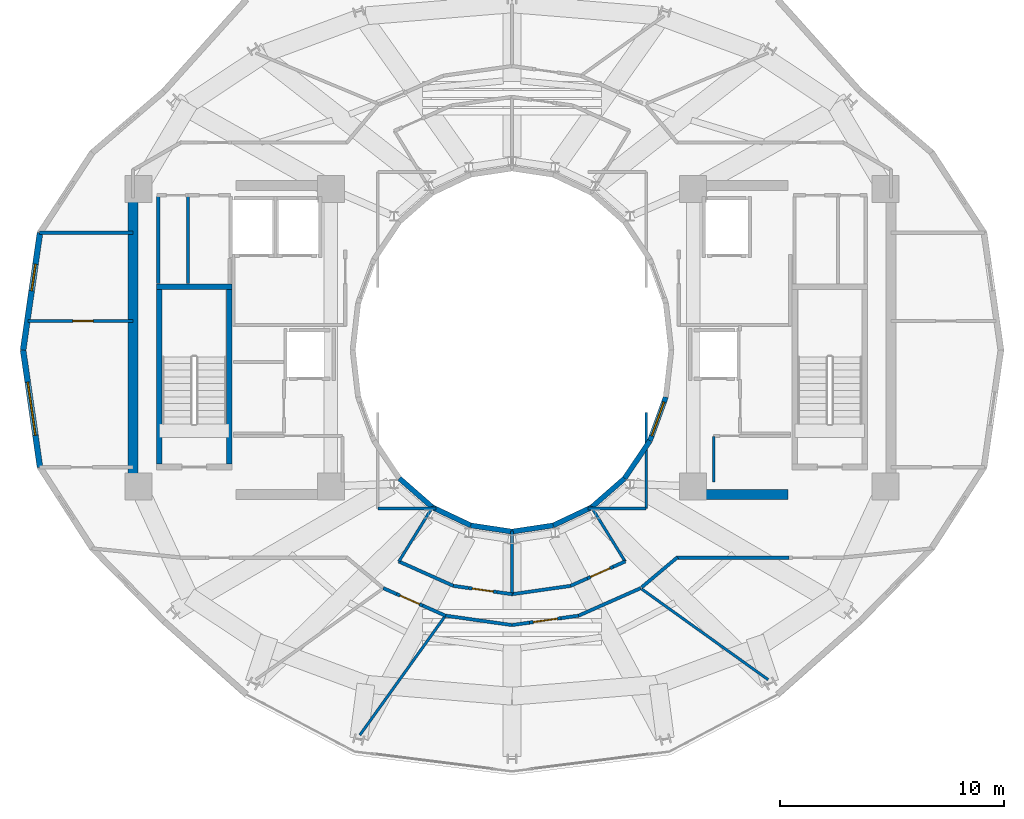
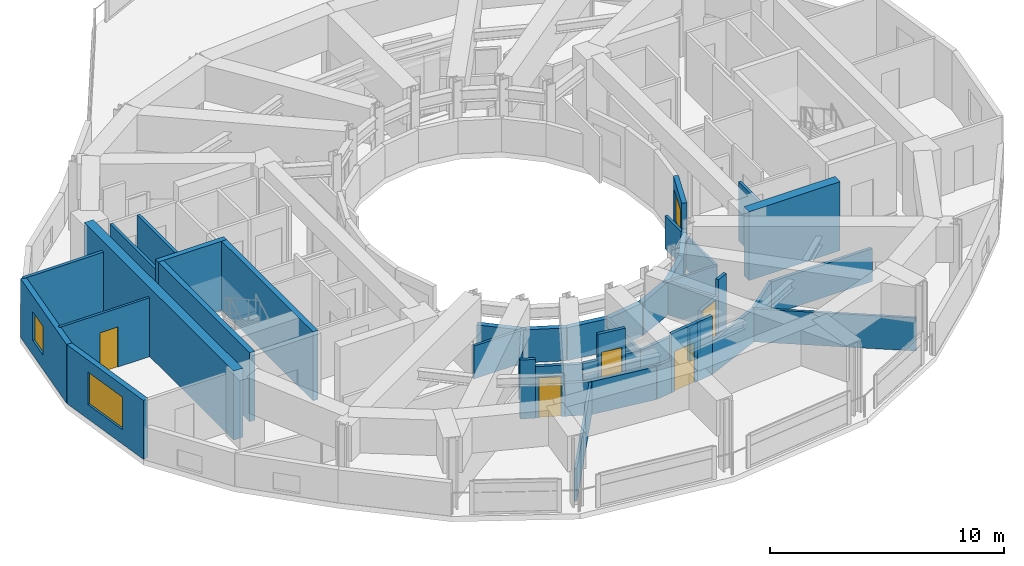
# One storey, part 14 of 21: 46 walls, 5 doors, 3 windows, 8 openings.
"""IFC4 building model written with IfcOpenShell, lengths in metres."""

from ifc_helpers import new_model, si_unit, direction, frame, frame_2d, origin, place, context, subcontext, project, spatial, rectangle, extrude, material, layer, layer_set, type_object, element, fill, save


model = new_model("IFC4")

# Units and contexts
model_context = context("Model", 3, precision=1e-05, world=origin(), true_north=direction((0.0, 1.0)))
body_context = subcontext(model_context, "Body", "Model", "MODEL_VIEW")
ifc_project = project(units=[si_unit("LENGTHUNIT", "METRE"), si_unit("AREAUNIT", "SQUARE_METRE"), si_unit("VOLUMEUNIT", "CUBIC_METRE"), si_unit("PLANEANGLEUNIT", "RADIAN"), si_unit("MASSUNIT", "GRAM", prefix="KILO")], contexts=[model_context])

# Site, building, storey
site_placement = place(None, origin())
site = spatial("IfcSite", under=ifc_project, at=site_placement, CompositionType="ELEMENT")
building_placement = place(site_placement, origin())
building = spatial("IfcBuilding", under=site, at=building_placement, Name="Solvane Sanctuary Tower", CompositionType="ELEMENT")
storey_placement = place(building_placement, frame((0.0, 0.0, 256.800048828125)))
storey = spatial("IfcBuildingStorey", under=building, at=storey_placement, Name="L78", CompositionType="ELEMENT", Elevation=256.800048828125)

# Walls
ifc_material_1 = material(Name="Concrete C50/60", Category="concrete")
ifc_layer_1 = layer(ifc_material_1, 0.449951171875, Name="Concrete C50/60")
ifc_layer_set_1 = layer_set([ifc_layer_1], Name="Concrete C50/60")
wall_type_1 = type_object("IfcWallType", Name="Wall W-CORE-450", PredefinedType="SHEAR", material=ifc_layer_set_1)
wall_1_placement = place(storey_placement, frame((15.050048828125, 17.050048828125, 0.0), z_axis=(0.0, 0.0, 1.0), x_axis=(0.0, 1.0, 0.0)))
element("IfcWall", 1, at=wall_1_placement, inside=storey, type_object=wall_type_1, Name="L78 Core Shear Wall WC-W", PredefinedType="SHEAR", context=body_context, shape_type="SweptSolid", body=[
    extrude(rectangle(XDim=12.800048828125, YDim=0.449951171875, at=frame_2d((6.39990234375, 0.0))), origin(), (0.0, 0.0, 1.0), 3.599853515625),
])
wall_2_placement = place(storey_placement, frame((39.85009765625, 16.550048828125, 0.0), z_axis=(0.0, 0.0, 1.0), x_axis=(1.0, 0.0, 0.0)))
element("IfcWall", 2, at=wall_2_placement, inside=storey, type_object=wall_type_1, Name="L78 Core Shear Wall EC-S", PredefinedType="SHEAR", context=body_context, shape_type="SweptSolid", body=[
    extrude(rectangle(XDim=4.5, YDim=0.449951171875, at=frame_2d((2.25, 0.0))), origin(), (0.0, 0.0, 1.0), 3.599853515625),
])
ifc_material_2 = material(Name="Acoustic Gypsum Partition Board")
ifc_layer_2 = layer(ifc_material_2, 0.14990234375, Name="Acoustic Gypsum Partition Board")
ifc_layer_set_2 = layer_set([ifc_layer_2], Name="Acoustic Gypsum Partition Board")
wall_type_2 = type_object("IfcWallType", Name="Wall W-CORR-150", PredefinedType="PARTITIONING", material=ifc_layer_set_2)
wall_3_placement = place(storey_placement, frame((26.934814453125, 13.548583984375, 0.0), z_axis=(0.0, 0.0, 1.0), x_axis=(0.912859324183, -0.408274239027, 0.0)))
element("IfcWall", 3, at=wall_3_placement, inside=storey, type_object=wall_type_2, Name="L78 South Light-Well Corridor Wall 1", PredefinedType="PARTITIONING", context=body_context, shape_type="SweptSolid", body=[
    extrude(rectangle(XDim=2.681884765625, YDim=0.14990234375, at=frame_2d((1.3408203125, 0.0))), origin(), (0.0, 0.0, 1.0), 1.719970703125),
])
wall_4_placement = place(storey_placement, frame((29.379638671875, 12.45458984375, 0.0), z_axis=(0.0, 0.0, 1.0), x_axis=(0.990090139669, -0.140433312754, 0.0)))
element("IfcWall", 4, at=wall_4_placement, inside=storey, type_object=wall_type_2, Name="L78 South Light-Well Corridor Wall 1", PredefinedType="PARTITIONING", context=body_context, shape_type="SweptSolid", body=[
    extrude(rectangle(XDim=0.69189453125, YDim=0.14990234375, at=frame_2d((0.345947265625, 0.0))), origin(), (0.0, 0.0, 1.0), 1.719970703125),
])

# Wall, opening, door
wall_5_placement = place(storey_placement, frame((30.064697265625, 12.357421875, 0.0), z_axis=(0.0, 0.0, 1.0), x_axis=(0.990102710588, -0.140344656064, 0.0)))
wall_5 = element("IfcWall", 5, at=wall_5_placement, inside=storey, type_object=wall_type_2, Name="L78 South Light-Well Corridor Wall 1", PredefinedType="PARTITIONING", context=body_context, shape_type="SweptSolid", body=[
    extrude(rectangle(XDim=1.269775390625, YDim=0.14990234375, at=frame_2d((0.634765625, 0.0))), origin(), (0.0, 0.0, 1.0), 3.074951171875),
])
opening_1_placement = place(wall_5_placement, frame((0.159912109375, 0.0, 0.0)))
opening_1 = element("IfcOpeningElement", 6, at=opening_1_placement, cuts=wall_5, Name="Opening D-L78-15", PredefinedType="OPENING", context=body_context, shape_type="SweptSolid", body=[
    extrude(rectangle(XDim=0.949951171875, YDim=2.10009765625, at=frame_2d((0.47509765625, 1.050048828125))), frame((0.0, 0.0849609375, 0.0), z_axis=(0.0, -1.0, 0.0), x_axis=(1.0, 0.0, 0.0)), (0.0, 0.0, 1.0), 0.169921875),
])
ifc_material_3 = material(Name="Engineered Tropical Hardwood", Category="wood")
door_type_1 = type_object("IfcDoorType", Name="Door D-ROOM-950", OperationType="NOTDEFINED", PredefinedType="DOOR", material=ifc_material_3)
door_1_placement = place(opening_1_placement, origin())
door_1 = element("IfcDoor", 7, at=door_1_placement, inside=storey, type_object=door_type_1, Name="L78 South Light-Well Alcove Door 1", OperationType="SINGLE_SWING_RIGHT", OverallHeight=2.10009765625, OverallWidth=0.949951171875, PredefinedType="DOOR", context=body_context, shape_type="SweptSolid", body=[
    extrude(rectangle(XDim=0.949951171875, YDim=2.10009765625, at=frame_2d((0.47509765625, 1.050048828125))), frame((0.0, 0.02490234375, 0.0), z_axis=(0.0, -1.0, 0.0), x_axis=(1.0, 0.0, 0.0)), (0.0, 0.0, 1.0), 0.050048828125),
])
fill(opening_1, door_1)

# Walls
wall_6_placement = place(storey_placement, frame((31.322021484375, 12.17919921875, 0.0), z_axis=(0.0, 0.0, 1.0), x_axis=(0.990090139669, -0.140433312754, 0.0)))
element("IfcWall", 8, at=wall_6_placement, inside=storey, type_object=wall_type_2, Name="L78 South Light-Well Corridor Wall 1", PredefinedType="PARTITIONING", context=body_context, shape_type="SweptSolid", body=[
    extrude(rectangle(XDim=0.69189453125, YDim=0.14990234375, at=frame_2d((0.345947265625, 0.0))), origin(), (0.0, 0.0, 1.0), 1.719970703125),
])
wall_7_placement = place(storey_placement, frame((31.992919921875, 12.08203125, 0.0), z_axis=(0.0, 0.0, 1.0), x_axis=(0.990096156252, 0.140390887794, 0.0)))
element("IfcWall", 9, at=wall_7_placement, inside=storey, type_object=wall_type_2, Name="L78 South Light-Well Corridor Wall 2", PredefinedType="PARTITIONING", context=body_context, shape_type="SweptSolid", body=[
    extrude(rectangle(XDim=2.65380859375, YDim=0.14990234375, at=frame_2d((1.326904296875, 0.0))), origin(), (0.0, 0.0, 1.0), 1.719970703125),
])
wall_8_placement = place(storey_placement, frame((34.616943359375, 12.45361328125, 0.0), z_axis=(0.0, 0.0, 1.0), x_axis=(0.912926186948, 0.408124707883, 0.0)))
element("IfcWall", 10, at=wall_8_placement, inside=storey, type_object=wall_type_2, Name="L78 South Light-Well Corridor Wall 2", PredefinedType="PARTITIONING", context=body_context, shape_type="SweptSolid", body=[
    extrude(rectangle(XDim=0.82080078125, YDim=0.14990234375, at=frame_2d((0.410400390625, 0.0))), origin(), (0.0, 0.0, 1.0), 1.719970703125),
])

# Wall, opening, door
wall_9_placement = place(storey_placement, frame((35.3662109375, 12.78857421875, 0.0), z_axis=(0.0, 0.0, 1.0), x_axis=(0.912825795494, 0.408349197479, 0.0)))
wall_9 = element("IfcWall", 11, at=wall_9_placement, inside=storey, type_object=wall_type_2, Name="L78 South Light-Well Corridor Wall 2", PredefinedType="PARTITIONING", context=body_context, shape_type="SweptSolid", body=[
    extrude(rectangle(XDim=1.269775390625, YDim=0.14990234375, at=frame_2d((0.634765625, 0.0))), origin(), (0.0, 0.0, 1.0), 2.159912109375),
])
opening_2_placement = place(wall_9_placement, frame((0.159912109375, 0.0, 0.0)))
opening_2 = element("IfcOpeningElement", 12, at=opening_2_placement, cuts=wall_9, Name="Opening D-L78-16", PredefinedType="OPENING", context=body_context, shape_type="SweptSolid", body=[
    extrude(rectangle(XDim=0.949951171875, YDim=2.10009765625, at=frame_2d((0.47509765625, 1.050048828125))), frame((0.0, 0.0849609375, 0.0), z_axis=(0.0, -1.0, 0.0), x_axis=(1.0, 0.0, 0.0)), (0.0, 0.0, 1.0), 0.169921875),
])
door_2_placement = place(opening_2_placement, origin())
door_2 = element("IfcDoor", 13, at=door_2_placement, inside=storey, type_object=door_type_1, Name="L78 South Light-Well Alcove Door 2", OperationType="SINGLE_SWING_LEFT", OverallHeight=2.10009765625, OverallWidth=0.949951171875, PredefinedType="DOOR", context=body_context, shape_type="SweptSolid", body=[
    extrude(rectangle(XDim=0.949951171875, YDim=2.10009765625, at=frame_2d((0.47509765625, 1.050048828125))), frame((0.0, 0.02490234375, 0.0), z_axis=(0.0, -1.0, 0.0), x_axis=(1.0, 0.0, 0.0)), (0.0, 0.0, 1.0), 0.050048828125),
])
fill(opening_2, door_2)

# Walls
wall_10_placement = place(storey_placement, frame((36.525390625, 13.30712890625, 0.0), z_axis=(0.0, 0.0, 1.0), x_axis=(0.912838500798, 0.408320794794, 0.0)))
element("IfcWall", 14, at=wall_10_placement, inside=storey, type_object=wall_type_2, Name="L78 South Light-Well Corridor Wall 2", PredefinedType="PARTITIONING", context=body_context, shape_type="SweptSolid", body=[
    extrude(rectangle(XDim=0.59130859375, YDim=0.14990234375, at=frame_2d((0.295654296875, 0.0))), origin(), (0.0, 0.0, 1.0), 3.074951171875),
])
wall_11_placement = place(storey_placement, frame((10.87548828125, 28.245361328125, 0.0), z_axis=(0.0, 0.0, 1.0), x_axis=(1.0, 0.0, 0.0)))
element("IfcWall", 15, at=wall_11_placement, inside=storey, type_object=wall_type_2, Name="L78 West Shoulder North Wall", PredefinedType="PARTITIONING", context=body_context, shape_type="SweptSolid", body=[
    extrude(rectangle(XDim=4.174560546875, YDim=0.14990234375, at=frame_2d((2.08740234375, 0.0))), origin(), (0.0, 0.0, 1.0), 3.074951171875),
])
wall_12_placement = place(storey_placement, frame((37.791015625, 12.385009765625, 0.0), z_axis=(0.0, 0.0, 1.0), x_axis=(0.765677451641, 0.643224719711, 0.0)))
element("IfcWall", 16, at=wall_12_placement, inside=storey, type_object=wall_type_2, Name="L78 SE Corner Throat Wall", PredefinedType="PARTITIONING", context=body_context, shape_type="SweptSolid", body=[
    extrude(rectangle(XDim=2.10546875, YDim=0.14990234375, at=frame_2d((1.052734375, 0.0))), origin(), (0.0, 0.0, 1.0), 1.719970703125),
])
wall_13_placement = place(storey_placement, frame((39.330078125, 13.719970703125, 0.0), z_axis=(0.0, 0.0, 1.0), x_axis=(1.0, 0.0, 0.0)))
element("IfcWall", 17, at=wall_13_placement, inside=storey, type_object=wall_type_2, Name="L78 SE Corner Corridor Wall", PredefinedType="PARTITIONING", context=body_context, shape_type="SweptSolid", body=[
    extrude(rectangle(XDim=5.059814453125, YDim=0.14990234375, at=frame_2d((2.52978515625, 0.0))), origin(), (0.0, 0.0, 1.0), 1.719970703125),
])
wall_14_placement = place(storey_placement, frame((26.243896484375, 12.35400390625, 0.0), z_axis=(0.0, 0.0, 1.0), x_axis=(0.914255086823, -0.405139033194, 0.0)))
element("IfcWall", 18, at=wall_14_placement, inside=storey, type_object=wall_type_2, Name="L78 Sky Promenade Corridor Wall S1", PredefinedType="PARTITIONING", context=body_context, shape_type="SweptSolid", body=[
    extrude(rectangle(XDim=0.657470703125, YDim=0.14990234375, at=frame_2d((0.32861328125, 0.0))), origin(), (0.0, 0.0, 1.0), 3.074951171875),
])

# Wall, opening, door
wall_15_placement = place(storey_placement, frame((26.844970703125, 12.087646484375, 0.0), z_axis=(0.0, 0.0, 1.0), x_axis=(0.914294474207, -0.405050138174, 0.0)))
wall_15 = element("IfcWall", 19, at=wall_15_placement, inside=storey, type_object=wall_type_2, Name="L78 Sky Promenade Corridor Wall S1", PredefinedType="PARTITIONING", context=body_context, shape_type="SweptSolid", body=[
    extrude(rectangle(XDim=1.27001953125, YDim=0.14990234375, at=frame_2d((0.635009765625, 0.0))), origin(), (0.0, 0.0, 1.0), 2.159912109375),
])
opening_3_placement = place(wall_15_placement, frame((0.159912109375, 0.0, 0.0)))
opening_3 = element("IfcOpeningElement", 20, at=opening_3_placement, cuts=wall_15, Name="Opening D-L78-28", PredefinedType="OPENING", context=body_context, shape_type="SweptSolid", body=[
    extrude(rectangle(XDim=0.949951171875, YDim=2.10009765625, at=frame_2d((0.47509765625, 1.050048828125))), frame((0.0, 0.0849609375, 0.0), z_axis=(0.0, -1.0, 0.0), x_axis=(1.0, 0.0, 0.0)), (0.0, 0.0, 1.0), 0.169921875),
])
door_3_placement = place(opening_3_placement, origin())
door_3 = element("IfcDoor", 21, at=door_3_placement, inside=storey, type_object=door_type_1, Name="L78 Sky Hall Entrance Door S1", OperationType="SINGLE_SWING_LEFT", OverallHeight=2.10009765625, OverallWidth=0.949951171875, PredefinedType="DOOR", context=body_context, shape_type="SweptSolid", body=[
    extrude(rectangle(XDim=0.949951171875, YDim=2.10009765625, at=frame_2d((0.47509765625, 1.050048828125))), frame((0.0, 0.02490234375, 0.0), z_axis=(0.0, -1.0, 0.0), x_axis=(1.0, 0.0, 0.0)), (0.0, 0.0, 1.0), 0.050048828125),
])
fill(opening_3, door_3)

# Walls
wall_16_placement = place(storey_placement, frame((28.006103515625, 11.5732421875, 0.0), z_axis=(0.0, 0.0, 1.0), x_axis=(0.914340182122, -0.404946948817, 0.0)))
element("IfcWall", 22, at=wall_16_placement, inside=storey, type_object=wall_type_2, Name="L78 Sky Promenade Corridor Wall S1", PredefinedType="PARTITIONING", context=body_context, shape_type="SweptSolid", body=[
    extrude(rectangle(XDim=1.1220703125, YDim=0.14990234375, at=frame_2d((0.56103515625, 0.0))), origin(), (0.0, 0.0, 1.0), 1.719970703125),
])
wall_17_placement = place(storey_placement, frame((29.016357421875, 11.123291015625, 0.0), z_axis=(0.0, 0.0, 1.0), x_axis=(0.990186143936, -0.139754786527, 0.0)))
element("IfcWall", 23, at=wall_17_placement, inside=storey, type_object=wall_type_2, Name="L78 Sky Promenade Corridor Wall S2", PredefinedType="PARTITIONING", context=body_context, shape_type="SweptSolid", body=[
    extrude(rectangle(XDim=3.01513671875, YDim=0.14990234375, at=frame_2d((1.507568359375, 0.0))), origin(), (0.0, 0.0, 1.0), 1.719970703125),
])
wall_18_placement = place(storey_placement, frame((31.998046875, 10.701904296875, 0.0), z_axis=(0.0, 0.0, 1.0), x_axis=(0.990224114478, 0.139485494252, 0.0)))
element("IfcWall", 24, at=wall_18_placement, inside=storey, type_object=wall_type_2, Name="L78 Sky Promenade Corridor Wall S2", PredefinedType="PARTITIONING", context=body_context, shape_type="SweptSolid", body=[
    extrude(rectangle(XDim=0.794677734375, YDim=0.14990234375, at=frame_2d((0.3974609375, 0.0))), origin(), (0.0, 0.0, 1.0), 1.719970703125),
])

# Wall, opening, door
wall_19_placement = place(storey_placement, frame((32.784912109375, 10.812744140625, 0.0), z_axis=(0.0, 0.0, 1.0), x_axis=(0.990229514994, 0.139447149967, 0.0)))
wall_19 = element("IfcWall", 25, at=wall_19_placement, inside=storey, type_object=wall_type_2, Name="L78 Sky Promenade Corridor Wall S2", PredefinedType="PARTITIONING", context=body_context, shape_type="SweptSolid", body=[
    extrude(rectangle(XDim=1.419921875, YDim=0.14990234375, at=frame_2d((0.7099609375, 0.0))), origin(), (0.0, 0.0, 1.0), 3.074951171875),
])
opening_4_placement = place(wall_19_placement, frame((0.159912109375, 0.0, 0.0)))
opening_4 = element("IfcOpeningElement", 26, at=opening_4_placement, cuts=wall_19, Name="Opening D-L78-29", PredefinedType="OPENING", context=body_context, shape_type="SweptSolid", body=[
    extrude(rectangle(XDim=1.10009765625, YDim=2.10009765625, at=frame_2d((0.550048828125, 1.050048828125))), frame((0.0, 0.0849609375, 0.0), z_axis=(0.0, -1.0, 0.0), x_axis=(1.0, 0.0, 0.0)), (0.0, 0.0, 1.0), 0.169921875),
])
ifc_material_4 = material(Name="Architectural Stainless Steel 316", Category="steel")
door_type_2 = type_object("IfcDoorType", Name="Door D-FFL", OperationType="NOTDEFINED", PredefinedType="DOOR", material=ifc_material_4)
door_4_placement = place(opening_4_placement, origin())
door_4 = element("IfcDoor", 27, at=door_4_placement, inside=storey, type_object=door_type_2, Name="L78 Sky Hall Entrance Door S2", OperationType="SINGLE_SWING_RIGHT", OverallHeight=2.10009765625, OverallWidth=1.10009765625, PredefinedType="DOOR", context=body_context, shape_type="SweptSolid", body=[
    extrude(rectangle(XDim=1.10009765625, YDim=2.10009765625, at=frame_2d((0.550048828125, 1.050048828125))), frame((0.0, 0.02490234375, 0.0), z_axis=(0.0, -1.0, 0.0), x_axis=(1.0, 0.0, 0.0)), (0.0, 0.0, 1.0), 0.050048828125),
])
fill(opening_4, door_4)

# Walls
wall_20_placement = place(storey_placement, frame((34.19091796875, 11.0107421875, 0.0), z_axis=(0.0, 0.0, 1.0), x_axis=(0.990224114478, 0.139485494252, 0.0)))
element("IfcWall", 28, at=wall_20_placement, inside=storey, type_object=wall_type_2, Name="L78 Sky Promenade Corridor Wall S2", PredefinedType="PARTITIONING", context=body_context, shape_type="SweptSolid", body=[
    extrude(rectangle(XDim=0.794677734375, YDim=0.14990234375, at=frame_2d((0.3974609375, 0.0))), origin(), (0.0, 0.0, 1.0), 3.074951171875),
])
wall_21_placement = place(storey_placement, frame((34.97412109375, 11.12060546875, 0.0), z_axis=(0.0, 0.0, 1.0), x_axis=(0.914181699255, 0.405304602425, 0.0)))
element("IfcWall", 29, at=wall_21_placement, inside=storey, type_object=wall_type_2, Name="L78 Sky Promenade Corridor Wall S2", PredefinedType="PARTITIONING", context=body_context, shape_type="SweptSolid", body=[
    extrude(rectangle(XDim=3.043212890625, YDim=0.14990234375, at=frame_2d((1.521484375, 0.0))), origin(), (0.0, 0.0, 1.0), 1.719970703125),
])

# Wall, opening, window
ifc_material_5 = material(Name="Precast concrete C40/50", Category="concrete")
ifc_layer_3 = layer(ifc_material_5, 0.260009765625, Name="Precast concrete C40/50")
ifc_layer_set_3 = layer_set([ifc_layer_3], Name="Precast concrete C40/50")
wall_type_3 = type_object("IfcWallType", Name="Wall W-EXT-250", PredefinedType="STANDARD", material=ifc_layer_set_3)
wall_22_placement = place(storey_placement, frame((10.895263671875, 28.23876953125, 0.0), z_axis=(0.0, 0.0, 1.0), x_axis=(-0.142712754019, -0.989764148593, 0.0)))
wall_22 = element("IfcWall", 30, at=wall_22_placement, inside=storey, type_object=wall_type_3, Name="L78 Ceramic-Printed Facade Wall 11", PredefinedType="STANDARD", context=body_context, shape_type="SweptSolid", body=[
    extrude(rectangle(XDim=5.29296875, YDim=0.260009765625, at=frame_2d((2.646484375, 0.0))), origin(), (0.0, 0.0, 1.0), 3.070068359375),
])
opening_5_placement = place(wall_22_placement, frame((1.414794921875, 0.0, 0.75)))
opening_5 = element("IfcOpeningElement", 31, at=opening_5_placement, cuts=wall_22, Name="Opening WN-OPER-1200", PredefinedType="OPENING", context=body_context, shape_type="SweptSolid", body=[
    extrude(rectangle(XDim=1.199951171875, YDim=1.5, at=frame_2d((0.60009765625, 0.75))), frame((0.0, 0.139892578125, 0.0), z_axis=(0.0, -1.0, 0.0), x_axis=(1.0, 0.0, 0.0)), (0.0, 0.0, 1.0), 0.280029296875),
])
ifc_material_6 = material(Name="Dark Ceramic-Fritted Low-E Glass", Category="glass")
window_type_1 = type_object("IfcWindowType", Name="Window WN-OPER-1200", PartitioningType="SINGLE_PANEL", PredefinedType="WINDOW", material=ifc_material_6)
window_1_placement = place(opening_5_placement, origin())
window_1 = element("IfcWindow", 32, at=window_1_placement, inside=storey, type_object=window_type_1, Name="L78 Operable Facade Window 11", OverallHeight=1.5, OverallWidth=1.199951171875, PartitioningType="SINGLE_PANEL", PredefinedType="WINDOW", context=body_context, shape_type="SweptSolid", body=[
    extrude(rectangle(XDim=1.199951171875, YDim=1.5, at=frame_2d((0.60009765625, 0.75))), frame((0.0, 0.030029296875, 0.0), z_axis=(0.0, -1.0, 0.0), x_axis=(1.0, 0.0, 0.0)), (0.0, 0.0, 1.0), 0.06005859375),
])
fill(opening_5, window_1)

wall_23_placement = place(storey_placement, frame((10.139892578125, 23.0, 0.0), z_axis=(0.0, 0.0, 1.0), x_axis=(0.142712754019, -0.989764148593, 0.0)))
wall_23 = element("IfcWall", 33, at=wall_23_placement, inside=storey, type_object=wall_type_3, Name="L78 Ceramic-Printed Facade Wall 12", PredefinedType="STANDARD", context=body_context, shape_type="SweptSolid", body=[
    extrude(rectangle(XDim=5.29296875, YDim=0.260009765625, at=frame_2d((2.646484375, 0.0))), origin(), (0.0, 0.0, 1.0), 3.070068359375),
])
opening_6_placement = place(wall_23_placement, frame((1.446533203125, 0.0, 0.75)))
opening_6 = element("IfcOpeningElement", 34, at=opening_6_placement, cuts=wall_23, Name="Opening WN-RIB-2400", PredefinedType="OPENING", context=body_context, shape_type="SweptSolid", body=[
    extrude(rectangle(XDim=2.39990234375, YDim=1.699951171875, at=frame_2d((1.199951171875, 0.85009765625))), frame((0.0, 0.139892578125, 0.0), z_axis=(0.0, -1.0, 0.0), x_axis=(1.0, 0.0, 0.0)), (0.0, 0.0, 1.0), 0.280029296875),
])
window_type_2 = type_object("IfcWindowType", Name="Window WN-RIB-2400", PartitioningType="SINGLE_PANEL", PredefinedType="WINDOW", material=ifc_material_6)
window_2_placement = place(opening_6_placement, origin())
window_2 = element("IfcWindow", 35, at=window_2_placement, inside=storey, type_object=window_type_2, Name="L78 Operable Facade Window 12", OverallHeight=1.699951171875, OverallWidth=2.39990234375, PartitioningType="SINGLE_PANEL", PredefinedType="WINDOW", context=body_context, shape_type="SweptSolid", body=[
    extrude(rectangle(XDim=2.39990234375, YDim=1.699951171875, at=frame_2d((1.199951171875, 0.85009765625))), frame((0.0, 0.030029296875, 0.0), z_axis=(0.0, -1.0, 0.0), x_axis=(1.0, 0.0, 0.0)), (0.0, 0.0, 1.0), 0.06005859375),
])
fill(opening_6, window_2)

# Walls
ifc_layer_4 = layer(ifc_material_5, 0.22998046875, Name="Precast concrete C40/50")
ifc_layer_set_4 = layer_set([ifc_layer_4], Name="Precast concrete C40/50")
wall_type_4 = type_object("IfcWallType", Name="Wall W-EXT-SP220", PredefinedType="STANDARD", material=ifc_layer_set_4)
wall_24_placement = place(storey_placement, frame((26.96533203125, 17.25830078125, 0.0), z_axis=(0.0, 0.0, 1.0), x_axis=(0.752576694707, -0.658504607869, 0.0)))
element("IfcWall", 36, at=wall_24_placement, inside=storey, type_object=wall_type_4, Name="L78 Central Light-Well Wall 15", PredefinedType="STANDARD", context=body_context, shape_type="SweptSolid", body=[
    extrude(rectangle(XDim=1.95947265625, YDim=0.22998046875, at=frame_2d((0.979736328125, 0.0))), origin(), (0.0, 0.0, 1.0), 1.719970703125),
])
wall_25_placement = place(storey_placement, frame((28.43994140625, 15.968017578125, 0.0), z_axis=(0.0, 0.0, 1.0), x_axis=(0.904179699603, -0.427152280606, 0.0)))
element("IfcWall", 37, at=wall_25_placement, inside=storey, type_object=wall_type_4, Name="L78 Central Light-Well Wall 16", PredefinedType="STANDARD", context=body_context, shape_type="SweptSolid", body=[
    extrude(rectangle(XDim=1.899169921875, YDim=0.22998046875, at=frame_2d((0.94970703125, 0.0))), origin(), (0.0, 0.0, 1.0), 1.719970703125),
])
for number, where, z_axis, x_axis, name in (
    (38, (30.1572265625, 15.15673828125, 0.0), (0.0, 0.0, 1.0), (0.988901730308, -0.148571086668, 0.0), "L78 Central Light-Well Wall 17"),
    (39, (32.0, 14.8798828125, 0.0), (0.0, 0.0, 1.0), (0.988901730308, 0.148571086668, 0.0), "L78 Central Light-Well Wall 18"),
):
    element("IfcWall", number, at=place(storey_placement, frame(where, z_axis=z_axis, x_axis=x_axis)), inside=storey, type_object=wall_type_4, Name=name, PredefinedType="STANDARD", context=body_context, shape_type="SweptSolid", body=[
        extrude(rectangle(XDim=1.863525390625, YDim=0.22998046875, at=frame_2d((0.931640625, 0.0))), origin(), (0.0, 0.0, 1.0), 1.719970703125),
    ])
wall_26_placement = place(storey_placement, frame((33.8427734375, 15.15673828125, 0.0), z_axis=(0.0, 0.0, 1.0), x_axis=(0.904179699603, 0.427152280606, 0.0)))
element("IfcWall", 40, at=wall_26_placement, inside=storey, type_object=wall_type_4, Name="L78 Central Light-Well Wall 19", PredefinedType="STANDARD", context=body_context, shape_type="SweptSolid", body=[
    extrude(rectangle(XDim=1.899169921875, YDim=0.22998046875, at=frame_2d((0.94970703125, 0.0))), origin(), (0.0, 0.0, 1.0), 1.719970703125),
])
wall_27_placement = place(storey_placement, frame((35.56005859375, 15.968017578125, 0.0), z_axis=(0.0, 0.0, 1.0), x_axis=(0.752576694707, 0.658504607869, 0.0)))
element("IfcWall", 41, at=wall_27_placement, inside=storey, type_object=wall_type_4, Name="L78 Central Light-Well Wall 20", PredefinedType="STANDARD", context=body_context, shape_type="SweptSolid", body=[
    extrude(rectangle(XDim=1.95947265625, YDim=0.22998046875, at=frame_2d((0.979736328125, 0.0))), origin(), (0.0, 0.0, 1.0), 1.719970703125),
])
wall_28_placement = place(storey_placement, frame((37.03466796875, 17.25830078125, 0.0), z_axis=(0.0, 0.0, 1.0), x_axis=(0.558197800898, 0.829707909492, 0.0)))
element("IfcWall", 42, at=wall_28_placement, inside=storey, type_object=wall_type_4, Name="L78 Central Light-Well Wall 21", PredefinedType="STANDARD", context=body_context, shape_type="SweptSolid", body=[
    extrude(rectangle(XDim=2.02685546875, YDim=0.22998046875, at=frame_2d((1.013427734375, 0.0))), origin(), (0.0, 0.0, 1.0), 1.719970703125),
])

# Wall, opening, window
wall_29_placement = place(storey_placement, frame((38.166015625, 18.93994140625, 0.0), z_axis=(0.0, 0.0, 1.0), x_axis=(0.341423187295, 0.93990968033, 0.0)))
wall_29 = element("IfcWall", 43, at=wall_29_placement, inside=storey, type_object=wall_type_4, Name="L78 Central Light-Well Wall 22", PredefinedType="STANDARD", context=body_context, shape_type="SweptSolid", body=[
    extrude(rectangle(XDim=2.083740234375, YDim=0.22998046875, at=frame_2d((1.0419921875, 0.0))), origin(), (0.0, 0.0, 1.0), 3.06005859375),
])
opening_7_placement = place(wall_29_placement, frame((0.24169921875, 0.0, 0.85009765625)))
opening_7 = element("IfcOpeningElement", 44, at=opening_7_placement, cuts=wall_29, Name="Opening WN-WELL-1600", PredefinedType="OPENING", context=body_context, shape_type="SweptSolid", body=[
    extrude(rectangle(XDim=1.60009765625, YDim=1.64990234375, at=frame_2d((0.800048828125, 0.824951171875))), frame((0.0, 0.125, 0.0), z_axis=(0.0, -1.0, 0.0), x_axis=(1.0, 0.0, 0.0)), (0.0, 0.0, 1.0), 0.25),
])
ifc_material_7 = material(Name="Clear Laminated Light-Well Glass", Category="glass")
window_type_3 = type_object("IfcWindowType", Name="Window WN-WELL-1600", PartitioningType="SINGLE_PANEL", PredefinedType="WINDOW", material=ifc_material_7)
window_3_placement = place(opening_7_placement, origin())
window_3 = element("IfcWindow", 45, at=window_3_placement, inside=storey, type_object=window_type_3, Name="L78 Light-Well Daylight Window 22", OverallHeight=1.64990234375, OverallWidth=1.60009765625, PartitioningType="SINGLE_PANEL", PredefinedType="WINDOW", context=body_context, shape_type="SweptSolid", body=[
    extrude(rectangle(XDim=1.60009765625, YDim=1.64990234375, at=frame_2d((0.800048828125, 0.824951171875))), frame((0.0, 0.030029296875, 0.0), z_axis=(0.0, -1.0, 0.0), x_axis=(1.0, 0.0, 0.0)), (0.0, 0.0, 1.0), 0.06005859375),
])
fill(opening_7, window_3)

# Wall, opening, door
ifc_layer_5 = layer(ifc_material_2, 0.1201171875, Name="Acoustic Gypsum Partition Board")
ifc_layer_set_5 = layer_set([ifc_layer_5], Name="Acoustic Gypsum Partition Board")
wall_type_5 = type_object("IfcWallType", Name="Wall W-MOV-100", PredefinedType="MOVABLE", material=ifc_layer_set_5)
wall_30_placement = place(storey_placement, frame((10.3671875, 24.300048828125, 0.0), z_axis=(0.0, 0.0, 1.0), x_axis=(1.0, 0.0, 0.0)))
wall_30 = element("IfcWall", 46, at=wall_30_placement, inside=storey, type_object=wall_type_5, Name="L78 West Suite Partition", PredefinedType="MOVABLE", context=body_context, shape_type="SweptSolid", body=[
    extrude(rectangle(XDim=4.682861328125, YDim=0.1201171875, at=frame_2d((2.34130859375, 0.0))), origin(), (0.0, 0.0, 1.0), 3.074951171875),
])
opening_8_placement = place(wall_30_placement, frame((2.0, 0.0, 0.0)))
opening_8 = element("IfcOpeningElement", 47, at=opening_8_placement, cuts=wall_30, Name="Opening D-L78-20", PredefinedType="OPENING", context=body_context, shape_type="SweptSolid", body=[
    extrude(rectangle(XDim=0.89990234375, YDim=2.10009765625, at=frame_2d((0.449951171875, 1.050048828125))), frame((0.0, 0.070068359375, 0.0), z_axis=(0.0, -1.0, 0.0), x_axis=(1.0, 0.0, 0.0)), (0.0, 0.0, 1.0), 0.14013671875),
])
door_type_3 = type_object("IfcDoorType", Name="Door D-WET-900", OperationType="NOTDEFINED", PredefinedType="DOOR", material=ifc_material_3)
door_5_placement = place(opening_8_placement, origin())
door_5 = element("IfcDoor", 48, at=door_5_placement, inside=storey, type_object=door_type_3, Name="L78 West Suite Internal Door", OperationType="SINGLE_SWING_LEFT", OverallHeight=2.10009765625, OverallWidth=0.89990234375, PredefinedType="DOOR", context=body_context, shape_type="SweptSolid", body=[
    extrude(rectangle(XDim=0.89990234375, YDim=2.10009765625, at=frame_2d((0.449951171875, 1.050048828125))), frame((0.0, 0.02490234375, 0.0), z_axis=(0.0, -1.0, 0.0), x_axis=(1.0, 0.0, 0.0)), (0.0, 0.0, 1.0), 0.050048828125),
])
fill(opening_8, door_5)

# Walls
wall_31_placement = place(storey_placement, frame((28.9921875, 11.076416015625, 0.0), z_axis=(0.0, 0.0, 1.0), x_axis=(-0.582726066442, -0.812668648029, 0.0)))
element("IfcWall", 49, at=wall_31_placement, inside=storey, type_object=wall_type_5, Name="L78 Sky Hall Radial Partition 255", PredefinedType="MOVABLE", context=body_context, shape_type="SweptSolid", body=[
    extrude(rectangle(XDim=6.514892578125, YDim=0.1201171875, at=frame_2d((3.25732421875, 0.0))), origin(), (0.0, 0.0, 1.0), 1.719970703125),
])
wall_32_placement = place(storey_placement, frame((37.793701171875, 12.317626953125, 0.0), z_axis=(0.0, 0.0, 1.0), x_axis=(0.812763742602, -0.582593424879, 0.0)))
element("IfcWall", 50, at=wall_32_placement, inside=storey, type_object=wall_type_5, Name="L78 Sky Hall Radial Partition 300", PredefinedType="MOVABLE", context=body_context, shape_type="SweptSolid", body=[
    extrude(rectangle(XDim=6.965576171875, YDim=0.1201171875, at=frame_2d((3.48291015625, 0.0))), origin(), (0.0, 0.0, 1.0), 1.719970703125),
])
ifc_layer_6 = layer(ifc_material_2, 0.125, Name="Acoustic Gypsum Partition Board")
ifc_layer_set_6 = layer_set([ifc_layer_6], Name="Acoustic Gypsum Partition Board")
wall_type_6 = type_object("IfcWallType", Name="Wall W-PART-125", PredefinedType="PARTITIONING", material=ifc_layer_set_6)
wall_33_placement = place(storey_placement, frame((41.02001953125, 17.10009765625, 0.0), z_axis=(0.0, 0.0, 1.0), x_axis=(0.0, 1.0, 0.0)))
element("IfcWall", 51, at=wall_33_placement, inside=storey, type_object=wall_type_6, Name="L78 Reclaimed Room Closer Wall PLE-1", PredefinedType="PARTITIONING", context=body_context, shape_type="SweptSolid", body=[
    extrude(rectangle(XDim=2.039794921875, YDim=0.125, at=frame_2d((1.02001953125, 0.0))), origin(), (0.0, 0.0, 1.0), 3.074951171875),
])
wall_34_placement = place(storey_placement, frame((28.449951171875, 15.985107421875, 0.0), z_axis=(0.0, 0.0, 1.0), x_axis=(-0.52592395012, -0.850531597702, 0.0)))
element("IfcWall", 52, at=wall_34_placement, inside=storey, type_object=wall_type_6, Name="L78 South Light-Well Radial Wall 240", PredefinedType="PARTITIONING", context=body_context, shape_type="SweptSolid", body=[
    extrude(rectangle(XDim=2.869384765625, YDim=0.125, at=frame_2d((1.4345703125, 0.0))), origin(), (0.0, 0.0, 1.0), 1.719970703125),
])
wall_35_placement = place(storey_placement, frame((32.0, 14.89990234375, 0.0), z_axis=(0.0, 0.0, 1.0), x_axis=(0.0, -1.0, 0.0)))
element("IfcWall", 53, at=wall_35_placement, inside=storey, type_object=wall_type_6, Name="L78 South Light-Well Radial Wall 270", PredefinedType="PARTITIONING", context=body_context, shape_type="SweptSolid", body=[
    extrude(rectangle(XDim=2.81787109375, YDim=0.125, at=frame_2d((1.408935546875, 0.0))), origin(), (0.0, 0.0, 1.0), 1.719970703125),
])
wall_36_placement = place(storey_placement, frame((35.550048828125, 15.985107421875, 0.0), z_axis=(0.0, 0.0, 1.0), x_axis=(0.52592395012, -0.850531597702, 0.0)))
element("IfcWall", 54, at=wall_36_placement, inside=storey, type_object=wall_type_6, Name="L78 South Light-Well Radial Wall 300", PredefinedType="PARTITIONING", context=body_context, shape_type="SweptSolid", body=[
    extrude(rectangle(XDim=2.869384765625, YDim=0.125, at=frame_2d((1.4345703125, 0.0))), origin(), (0.0, 0.0, 1.0), 1.719970703125),
])
wall_37_placement = place(storey_placement, frame((26.0, 15.919921875, 0.0), z_axis=(0.0, 0.0, 1.0), x_axis=(1.0, 0.0, 0.0)))
element("IfcWall", 55, at=wall_37_placement, inside=storey, type_object=wall_type_6, Name="L78 Bridge Alcove Wall 6", PredefinedType="PARTITIONING", context=body_context, shape_type="SweptSolid", body=[
    extrude(rectangle(XDim=2.60009765625, YDim=0.125, at=frame_2d((1.300048828125, 0.0))), origin(), (0.0, 0.0, 1.0), 1.719970703125),
])
wall_38_placement = place(storey_placement, frame((38.0, 15.919921875, 0.0), z_axis=(0.0, 0.0, 1.0), x_axis=(0.0, 1.0, 0.0)))
element("IfcWall", 56, at=wall_38_placement, inside=storey, type_object=wall_type_6, Name="L78 Bridge Alcove Wall 7", PredefinedType="PARTITIONING", context=body_context, shape_type="SweptSolid", body=[
    extrude(rectangle(XDim=4.280029296875, YDim=0.125, at=frame_2d((2.14013671875, 0.0))), origin(), (0.0, 0.0, 1.0), 1.719970703125),
])
wall_39_placement = place(storey_placement, frame((35.39990234375, 15.919921875, 0.0), z_axis=(0.0, 0.0, 1.0), x_axis=(1.0, 0.0, 0.0)))
element("IfcWall", 57, at=wall_39_placement, inside=storey, type_object=wall_type_6, Name="L78 Bridge Alcove Wall 8", PredefinedType="PARTITIONING", context=body_context, shape_type="SweptSolid", body=[
    extrude(rectangle(XDim=2.60009765625, YDim=0.125, at=frame_2d((1.300048828125, 0.0))), origin(), (0.0, 0.0, 1.0), 1.719970703125),
])
ifc_layer_7 = layer(ifc_material_1, 0.25, Name="Concrete C50/60")
ifc_layer_set_7 = layer_set([ifc_layer_7], Name="Concrete C50/60")
wall_type_7 = type_object("IfcWallType", Name="Wall W-SHAFT-250", PredefinedType="SOLIDWALL", material=ifc_layer_set_7)
wall_40_placement = place(storey_placement, frame((16.10498046875, 25.830078125, 0.0), z_axis=(0.0, 0.0, 1.0), x_axis=(1.0, 0.0, 0.0)))
element("IfcWall", 58, at=wall_40_placement, inside=storey, type_object=wall_type_7, Name="L78 ST-1 Load-Bearing Shaft Wall N", PredefinedType="SOLIDWALL", context=body_context, shape_type="SweptSolid", body=[
    extrude(rectangle(XDim=3.3701171875, YDim=0.25, at=frame_2d((1.68505859375, 0.0))), origin(), (0.0, 0.0, 1.0), 3.599853515625),
])
for number, where, z_axis, x_axis, name in (
    (59, (16.22998046875, 17.89501953125, 0.0), (0.0, 0.0, 1.0), (0.0, 1.0, 0.0), "L78 ST-1 Load-Bearing Shaft Wall W"),
    (60, (19.35009765625, 17.89501953125, 0.0), (0.0, 0.0, 1.0), (0.0, 1.0, 0.0), "L78 ST-1 Load-Bearing Shaft Wall E"),
):
    element("IfcWall", number, at=place(storey_placement, frame(where, z_axis=z_axis, x_axis=x_axis)), inside=storey, type_object=wall_type_7, Name=name, PredefinedType="SOLIDWALL", context=body_context, shape_type="SweptSolid", body=[
        extrude(rectangle(XDim=7.81005859375, YDim=0.25, at=frame_2d((3.905029296875, 0.0))), origin(), (0.0, 0.0, 1.0), 3.599853515625),
    ])
ifc_layer_8 = layer(ifc_material_2, 0.139892578125, Name="Acoustic Gypsum Partition Board")
ifc_layer_set_8 = layer_set([ifc_layer_8], Name="Acoustic Gypsum Partition Board")
wall_type_8 = type_object("IfcWallType", Name="Wall W-WET-140", PredefinedType="PLUMBINGWALL", material=ifc_layer_set_8)
for number, where, z_axis, x_axis, name in (
    (61, (16.179931640625, 25.97998046875, 0.0), (0.0, 0.0, 1.0), (0.0, 1.0, 0.0), "L78 Core Service Side Wall KW1-1"),
    (62, (17.52001953125, 25.97998046875, 0.0), (0.0, 0.0, 1.0), (0.0, 1.0, 0.0), "L78 Core Service Side Wall KW1-2"),
):
    element("IfcWall", number, at=place(storey_placement, frame(where, z_axis=z_axis, x_axis=x_axis)), inside=storey, type_object=wall_type_8, Name=name, PredefinedType="PLUMBINGWALL", context=body_context, shape_type="SweptSolid", body=[
        extrude(rectangle(XDim=3.880126953125, YDim=0.139892578125, at=frame_2d((1.93994140625, 0.0))), origin(), (0.0, 0.0, 1.0), 3.074951171875),
    ])

save(model, "model.ifc")
